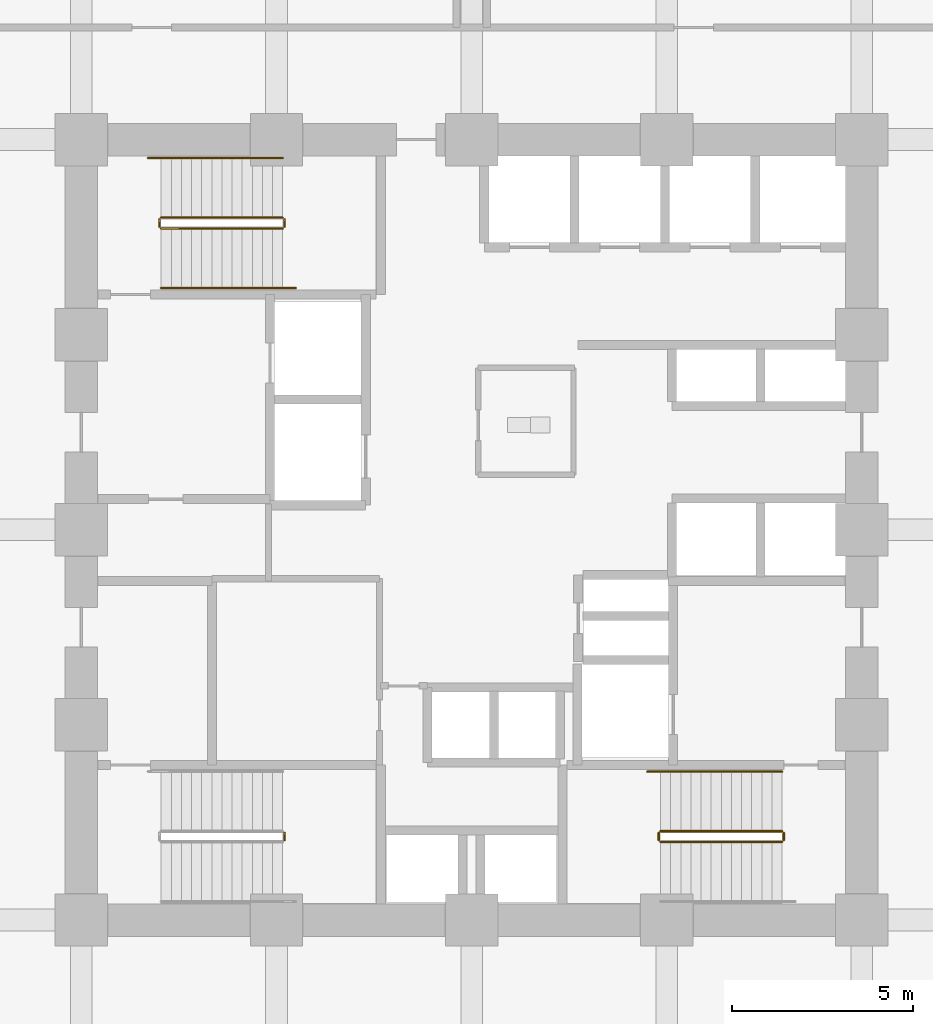
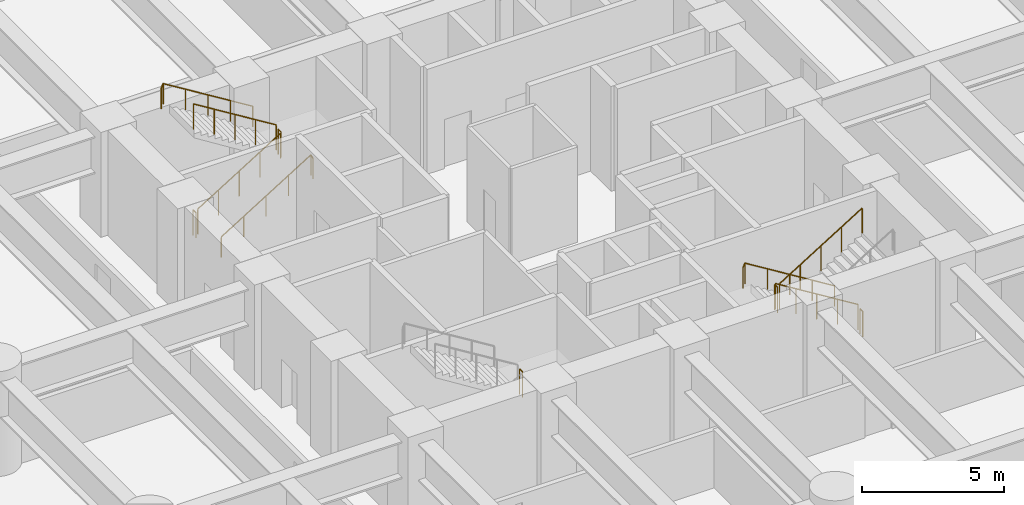
# One storey, part 35 of 37: 12 railings.
"""IFC4 building model written with IfcOpenShell, lengths in metres."""

from ifc_helpers import new_model, si_unit, direction, frame, origin, origin_2d, place, context, subcontext, project, spatial, circle, extrude, material, type_object, element, save


model = new_model("IFC4")

# Units and contexts
model_context = context("Model", 3, precision=1e-05, world=origin(), true_north=direction((0.0, 1.0)))
body_context = subcontext(model_context, "Body", "Model", "MODEL_VIEW")
ifc_project = project(units=[si_unit("LENGTHUNIT", "METRE"), si_unit("AREAUNIT", "SQUARE_METRE"), si_unit("VOLUMEUNIT", "CUBIC_METRE"), si_unit("PLANEANGLEUNIT", "RADIAN"), si_unit("MASSUNIT", "GRAM", prefix="KILO")], contexts=[model_context])

# Site, building, storey
site_placement = place(None, origin())
site = spatial("IfcSite", under=ifc_project, at=site_placement, CompositionType="ELEMENT")
building_placement = place(site_placement, origin())
building = spatial("IfcBuilding", under=site, at=building_placement, Name="Surkhivell Harbour Commons", CompositionType="ELEMENT")
storey_placement = place(building_placement, frame((0.0, 0.0, 18.0)))
storey = spatial("IfcBuildingStorey", under=building, at=storey_placement, Name="L04", CompositionType="ELEMENT", Elevation=18.0)

# Railings
ifc_material_1 = material(Name="Galvanised and painted steel S355 guard rail", Category="steel")
railing_type_1 = type_object("IfcRailingType", Name="RAL-ST-GRD1100", PredefinedType="GUARDRAIL", material=ifc_material_1)
railing_1_placement = place(storey_placement, frame((-8.590087890625, 8.340087890625, 0.173095703125)))
element("IfcRailing", 1, at=railing_1_placement, inside=storey, type_object=railing_type_1, Name="L04 ST1 stair guard 1", PredefinedType="GUARDRAIL", context=body_context, shape_type="SweptSolid", body=[
    extrude(circle(Radius=0.02392578125, at=origin_2d()), frame((0.0, 0.0, 1.076171875), z_axis=(0.850623216509, 0.0, 0.525775754039), x_axis=(0.0, 1.0, 0.0)), (0.0, 0.0, 1.0), 3.9501953125),
    extrude(circle(Radius=0.02099609375, at=origin_2d()), origin(), (0.0, 0.0, 1.0), 1.052001953125),
    extrude(circle(Radius=0.02099609375, at=origin_2d()), frame((0.840087890625, 0.0, 0.519287109375)), (0.0, 0.0, 1.0), 1.052001953125),
    extrude(circle(Radius=0.02099609375, at=origin_2d()), frame((1.68017578125, 0.0, 1.03857421875)), (0.0, 0.0, 1.0), 1.052001953125),
    extrude(circle(Radius=0.02099609375, at=origin_2d()), frame((2.52001953125, 0.0, 1.5576171875)), (0.0, 0.0, 1.0), 1.052001953125),
    extrude(circle(Radius=0.02099609375, at=origin_2d()), frame((3.360107421875, 0.0, 2.076904296875)), (0.0, 0.0, 1.0), 1.052001953125),
])
railing_2_placement = place(storey_placement, frame((-5.179931640625, 8.389892578125, 2.25)))
element("IfcRailing", 2, at=railing_2_placement, inside=storey, type_object=railing_type_1, Name="L04 ST1 stair guard 2", PredefinedType="GUARDRAIL", context=body_context, shape_type="SweptSolid", body=[
    extrude(circle(Radius=0.02392578125, at=origin_2d()), frame((0.0, 0.0, 1.076171875), z_axis=(0.0, 1.0, 0.0), x_axis=(-1.0, 0.0, 0.0)), (0.0, 0.0, 1.0), 0.2001953125),
    extrude(circle(Radius=0.02099609375, at=origin_2d()), origin(), (0.0, 0.0, 1.0), 1.052001953125),
    extrude(circle(Radius=0.02099609375, at=origin_2d()), frame((0.0, 0.2001953125, 0.0)), (0.0, 0.0, 1.0), 1.052001953125),
])
railing_3_placement = place(storey_placement, frame((-5.22998046875, 8.639892578125, 2.423095703125)))
element("IfcRailing", 3, at=railing_3_placement, inside=storey, type_object=railing_type_1, Name="L04 ST1 stair guard 3", PredefinedType="GUARDRAIL", context=body_context, shape_type="SweptSolid", body=[
    extrude(circle(Radius=0.02392578125, at=origin_2d()), frame((0.0, 0.0, 1.076171875), z_axis=(-0.850623216509, 0.0, 0.525775754039), x_axis=(0.0, -1.0, 0.0)), (0.0, 0.0, 1.0), 3.9501953125),
    extrude(circle(Radius=0.02099609375, at=origin_2d()), origin(), (0.0, 0.0, 1.0), 1.052001953125),
    extrude(circle(Radius=0.02099609375, at=origin_2d()), frame((-0.840087890625, 0.0, 0.519287109375)), (0.0, 0.0, 1.0), 1.052001953125),
    extrude(circle(Radius=0.02099609375, at=origin_2d()), frame((-1.68017578125, 0.0, 1.03857421875)), (0.0, 0.0, 1.0), 1.052001953125),
    extrude(circle(Radius=0.02099609375, at=origin_2d()), frame((-2.52001953125, 0.0, 1.5576171875)), (0.0, 0.0, 1.0), 1.052001953125),
    extrude(circle(Radius=0.02099609375, at=origin_2d()), frame((-3.360107421875, 0.0, 2.076904296875)), (0.0, 0.0, 1.0), 1.052001953125),
])
railing_4_placement = place(storey_placement, frame((-8.639892578125, 8.389892578125, 0.0)))
element("IfcRailing", 4, at=railing_4_placement, inside=storey, type_object=railing_type_1, Name="L04 ST1 stair guard 4", PredefinedType="GUARDRAIL", context=body_context, shape_type="SweptSolid", body=[
    extrude(circle(Radius=0.02392578125, at=origin_2d()), frame((0.0, 0.0, 1.076171875), z_axis=(0.0, 1.0, 0.0), x_axis=(-1.0, 0.0, 0.0)), (0.0, 0.0, 1.0), 0.2001953125),
    extrude(circle(Radius=0.02099609375, at=origin_2d()), origin(), (0.0, 0.0, 1.0), 1.052001953125),
    extrude(circle(Radius=0.02099609375, at=origin_2d()), frame((0.0, 0.2001953125, 0.0)), (0.0, 0.0, 1.0), 1.052001953125),
])
railing_5_placement = place(storey_placement, frame((8.590087890625, -8.340087890625, 0.173095703125)))
element("IfcRailing", 5, at=railing_5_placement, inside=storey, type_object=railing_type_1, Name="L04 ST2 stair guard 1", PredefinedType="GUARDRAIL", context=body_context, shape_type="SweptSolid", body=[
    extrude(circle(Radius=0.02392578125, at=origin_2d()), frame((0.0, 0.0, 1.076171875), z_axis=(-0.850623216509, 0.0, 0.525775754039), x_axis=(0.0, -1.0, 0.0)), (0.0, 0.0, 1.0), 3.9501953125),
    extrude(circle(Radius=0.02099609375, at=origin_2d()), origin(), (0.0, 0.0, 1.0), 1.052001953125),
    extrude(circle(Radius=0.02099609375, at=origin_2d()), frame((-0.840087890625, 0.0, 0.519287109375)), (0.0, 0.0, 1.0), 1.052001953125),
    extrude(circle(Radius=0.02099609375, at=origin_2d()), frame((-1.68017578125, 0.0, 1.03857421875)), (0.0, 0.0, 1.0), 1.052001953125),
    extrude(circle(Radius=0.02099609375, at=origin_2d()), frame((-2.52001953125, 0.0, 1.5576171875)), (0.0, 0.0, 1.0), 1.052001953125),
    extrude(circle(Radius=0.02099609375, at=origin_2d()), frame((-3.360107421875, 0.0, 2.076904296875)), (0.0, 0.0, 1.0), 1.052001953125),
])
railing_6_placement = place(storey_placement, frame((5.179931640625, -8.389892578125, 2.25)))
element("IfcRailing", 6, at=railing_6_placement, inside=storey, type_object=railing_type_1, Name="L04 ST2 stair guard 2", PredefinedType="GUARDRAIL", context=body_context, shape_type="SweptSolid", body=[
    extrude(circle(Radius=0.02392578125, at=origin_2d()), frame((0.0, 0.0, 1.076171875), z_axis=(0.0, -1.0, 0.0), x_axis=(1.0, 0.0, 0.0)), (0.0, 0.0, 1.0), 0.2001953125),
    extrude(circle(Radius=0.02099609375, at=origin_2d()), origin(), (0.0, 0.0, 1.0), 1.052001953125),
    extrude(circle(Radius=0.02099609375, at=origin_2d()), frame((0.0, -0.2001953125, 0.0)), (0.0, 0.0, 1.0), 1.052001953125),
])
railing_7_placement = place(storey_placement, frame((5.22998046875, -8.639892578125, 2.423095703125)))
element("IfcRailing", 7, at=railing_7_placement, inside=storey, type_object=railing_type_1, Name="L04 ST2 stair guard 3", PredefinedType="GUARDRAIL", context=body_context, shape_type="SweptSolid", body=[
    extrude(circle(Radius=0.02392578125, at=origin_2d()), frame((0.0, 0.0, 1.076171875), z_axis=(0.850623216509, 0.0, 0.525775754039), x_axis=(0.0, 1.0, 0.0)), (0.0, 0.0, 1.0), 3.9501953125),
    extrude(circle(Radius=0.02099609375, at=origin_2d()), origin(), (0.0, 0.0, 1.0), 1.052001953125),
    extrude(circle(Radius=0.02099609375, at=origin_2d()), frame((0.840087890625, 0.0, 0.519287109375)), (0.0, 0.0, 1.0), 1.052001953125),
    extrude(circle(Radius=0.02099609375, at=origin_2d()), frame((1.68017578125, 0.0, 1.03857421875)), (0.0, 0.0, 1.0), 1.052001953125),
    extrude(circle(Radius=0.02099609375, at=origin_2d()), frame((2.52001953125, 0.0, 1.5576171875)), (0.0, 0.0, 1.0), 1.052001953125),
    extrude(circle(Radius=0.02099609375, at=origin_2d()), frame((3.360107421875, 0.0, 2.076904296875)), (0.0, 0.0, 1.0), 1.052001953125),
])
railing_8_placement = place(storey_placement, frame((8.639892578125, -8.389892578125, 0.0)))
element("IfcRailing", 8, at=railing_8_placement, inside=storey, type_object=railing_type_1, Name="L04 ST2 stair guard 4", PredefinedType="GUARDRAIL", context=body_context, shape_type="SweptSolid", body=[
    extrude(circle(Radius=0.02392578125, at=origin_2d()), frame((0.0, 0.0, 1.076171875), z_axis=(0.0, -1.0, 0.0), x_axis=(1.0, 0.0, 0.0)), (0.0, 0.0, 1.0), 0.2001953125),
    extrude(circle(Radius=0.02099609375, at=origin_2d()), origin(), (0.0, 0.0, 1.0), 1.052001953125),
    extrude(circle(Radius=0.02099609375, at=origin_2d()), frame((0.0, -0.2001953125, 0.0)), (0.0, 0.0, 1.0), 1.052001953125),
])
railing_9_placement = place(storey_placement, frame((-5.179931640625, -8.590087890625, 2.25)))
element("IfcRailing", 9, at=railing_9_placement, inside=storey, type_object=railing_type_1, Name="L04 ST3 stair guard 2", PredefinedType="GUARDRAIL", context=body_context, shape_type="SweptSolid", body=[
    extrude(circle(Radius=0.02392578125, at=origin_2d()), frame((0.0, 0.0, 1.076171875), z_axis=(0.0, 1.0, 0.0), x_axis=(-1.0, 0.0, 0.0)), (0.0, 0.0, 1.0), 0.2001953125),
    extrude(circle(Radius=0.02099609375, at=origin_2d()), origin(), (0.0, 0.0, 1.0), 1.052001953125),
    extrude(circle(Radius=0.02099609375, at=origin_2d()), frame((0.0, 0.2001953125, 0.0)), (0.0, 0.0, 1.0), 1.052001953125),
])
ifc_material_2 = material(Name="Brushed stainless steel S355 handrail", Category="steel")
railing_type_2 = type_object("IfcRailingType", Name="RAL-ST-HND900", PredefinedType="HANDRAIL", material=ifc_material_2)
railing_10_placement = place(storey_placement, frame((-8.590087890625, 6.68994140625, 0.173095703125)))
element("IfcRailing", 10, at=railing_10_placement, inside=storey, type_object=railing_type_2, Name="L04 ST1 stair handrail 1", PredefinedType="HANDRAIL", context=body_context, shape_type="SweptSolid", body=[
    extrude(circle(Radius=0.02392578125, at=origin_2d()), frame((0.0, 0.0, 0.8759765625), z_axis=(0.850622404505, 0.0, 0.525777067734), x_axis=(0.0, 1.0, 0.0)), (0.0, 0.0, 1.0), 4.279296875),
    extrude(circle(Radius=0.02392578125, at=origin_2d()), frame((3.64013671875, 0.0, 3.1259765625), z_axis=(0.418814502111, 0.0, -0.908071810388), x_axis=(0.0, 1.0, 0.0)), (0.0, 0.0, 1.0), 0.190673828125),
    extrude(circle(Radius=0.02099609375, at=origin_2d()), origin(), (0.0, 0.0, 1.0), 0.851806640625),
    extrude(circle(Radius=0.02099609375, at=origin_2d()), frame((0.91015625, 0.0, 0.5625)), (0.0, 0.0, 1.0), 0.851806640625),
    extrude(circle(Radius=0.02099609375, at=origin_2d()), frame((1.820068359375, 0.0, 1.125)), (0.0, 0.0, 1.0), 0.851806640625),
    extrude(circle(Radius=0.02099609375, at=origin_2d()), frame((2.72998046875, 0.0, 1.6875)), (0.0, 0.0, 1.0), 0.851806640625),
    extrude(circle(Radius=0.02099609375, at=origin_2d()), frame((3.64013671875, 0.0, 2.25)), (0.0, 0.0, 1.0), 0.851806640625),
    extrude(circle(Radius=0.02099609375, at=origin_2d()), frame((3.719970703125, 0.0, 2.076904296875)), (0.0, 0.0, 1.0), 0.851806640625),
])
for number, where, name in (
    (11, (-5.22998046875, 10.2900390625, 2.423095703125), "L04 ST1 stair handrail 2"),
    (12, (8.590087890625, -6.68994140625, 0.173095703125), "L04 ST2 stair handrail 1"),
):
    element("IfcRailing", number, at=place(storey_placement, frame(where)), inside=storey, type_object=railing_type_2, Name=name, PredefinedType="HANDRAIL", context=body_context, shape_type="SweptSolid", body=[
        extrude(circle(Radius=0.02392578125, at=origin_2d()), frame((0.0, 0.0, 0.8759765625), z_axis=(-0.850622404505, 0.0, 0.525777067734), x_axis=(0.0, -1.0, 0.0)), (0.0, 0.0, 1.0), 4.279296875),
        extrude(circle(Radius=0.02392578125, at=origin_2d()), frame((-3.64013671875, 0.0, 3.1259765625), z_axis=(-0.418814502111, 0.0, -0.908071810388), x_axis=(0.0, -1.0, 0.0)), (0.0, 0.0, 1.0), 0.190673828125),
        extrude(circle(Radius=0.02099609375, at=origin_2d()), origin(), (0.0, 0.0, 1.0), 0.851806640625),
        extrude(circle(Radius=0.02099609375, at=origin_2d()), frame((-0.91015625, 0.0, 0.5625)), (0.0, 0.0, 1.0), 0.851806640625),
        extrude(circle(Radius=0.02099609375, at=origin_2d()), frame((-1.820068359375, 0.0, 1.125)), (0.0, 0.0, 1.0), 0.851806640625),
        extrude(circle(Radius=0.02099609375, at=origin_2d()), frame((-2.72998046875, 0.0, 1.6875)), (0.0, 0.0, 1.0), 0.851806640625),
        extrude(circle(Radius=0.02099609375, at=origin_2d()), frame((-3.64013671875, 0.0, 2.25)), (0.0, 0.0, 1.0), 0.851806640625),
        extrude(circle(Radius=0.02099609375, at=origin_2d()), frame((-3.719970703125, 0.0, 2.076904296875)), (0.0, 0.0, 1.0), 0.851806640625),
    ])

save(model, "model.ifc")
